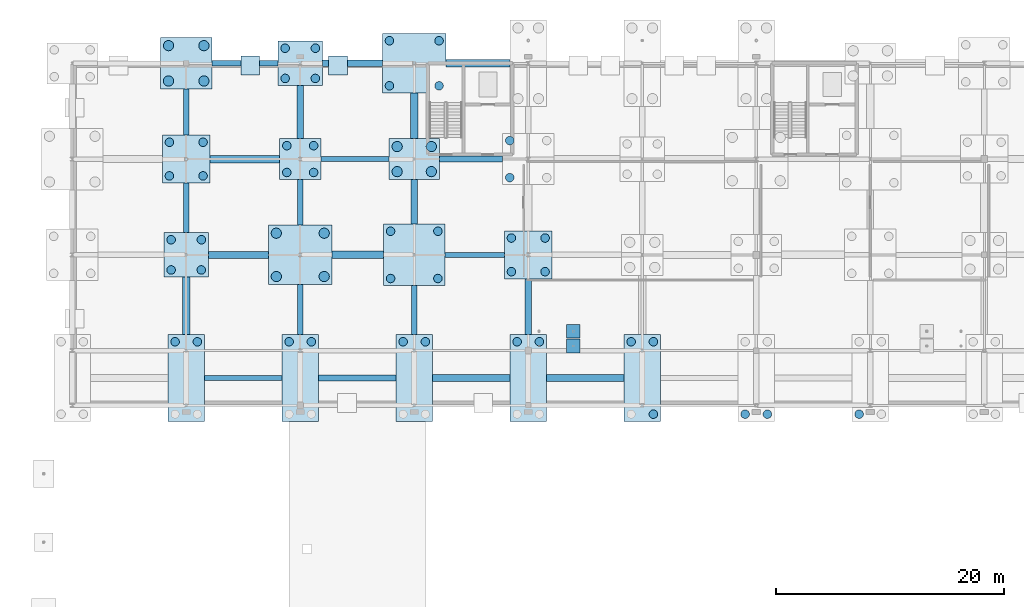
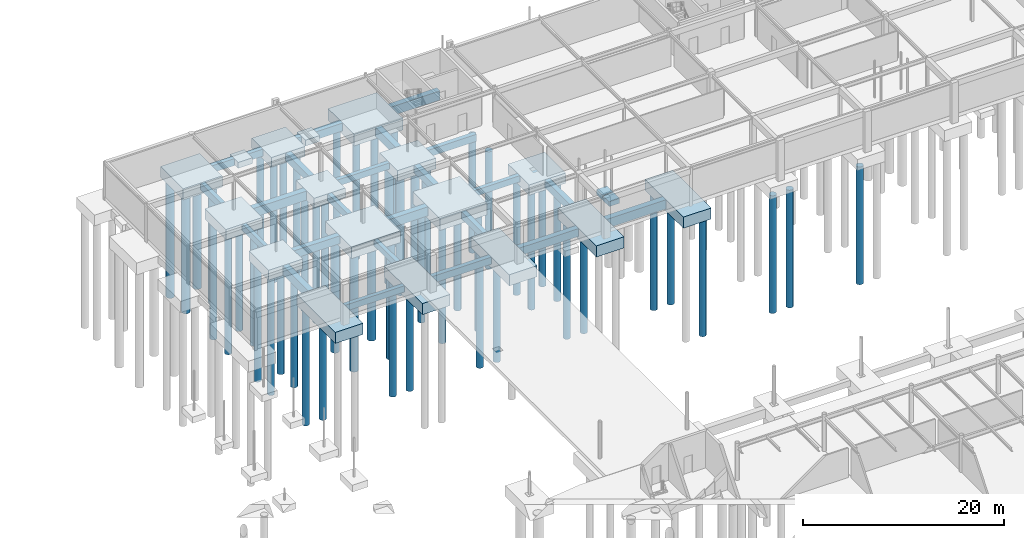
# One storey, part 6 of 75: 56 piles, 42 footings.
"""IFC4 building model written with IfcOpenShell, lengths in metres."""

from ifc_helpers import new_model, si_unit, derived_unit, direction, frame, origin, origin_2d_with_axis, place, context, subcontext, project, spatial, rectangle, circle, extrude, material, layer, layer_set, material_profile, profile_set, type_object, element, save


model = new_model("IFC4")

# Units and contexts
model_context = context("Model", 3, precision=1e-05, world=origin(), true_north=direction((0.0, 1.0)))
body_context = subcontext(model_context, "Body", "Model", "MODEL_VIEW")
ifc_project = project(units=[si_unit("LENGTHUNIT", "METRE"), si_unit("AREAUNIT", "SQUARE_METRE"), si_unit("VOLUMEUNIT", "CUBIC_METRE"), si_unit("PLANEANGLEUNIT", "RADIAN"), si_unit("MASSUNIT", "GRAM", prefix="KILO"), derived_unit("THERMALTRANSMITTANCEUNIT", [(si_unit("POWERUNIT", "WATT"), 1), (si_unit("LENGTHUNIT", "METRE"), -2), (si_unit("THERMODYNAMICTEMPERATUREUNIT", "KELVIN"), -1)])], contexts=[model_context])

# Site, building, storey
site_placement = place(None, origin())
site = spatial("IfcSite", under=ifc_project, at=site_placement, CompositionType="ELEMENT")
building_placement = place(site_placement, origin())
building = spatial("IfcBuilding", under=site, at=building_placement, Name="Cinnabar Yard Market Hall", CompositionType="ELEMENT")
storey_placement = place(building_placement, frame((0.0, 0.0, -4.5)))
storey = spatial("IfcBuildingStorey", under=building, at=storey_placement, Name="B1", CompositionType="ELEMENT", Elevation=-4.5)

# Footings
ifc_material = material(Name="Concrete 40 MPa", Category="concrete")
ifc_material_profile_1 = material_profile(ifc_material, rectangle(XDim=0.449951171875, YDim=0.75, at=origin_2d_with_axis()), Name="GB-450x750")
ifc_profile_set_1 = profile_set([ifc_material_profile_1], Name="Concrete 40 MPa")
footing_type_1 = type_object("IfcFootingType", Name="FT-GB01", PredefinedType="FOOTING_BEAM", material=ifc_profile_set_1)
footing_1_placement = place(storey_placement, frame((77.60009765625, 110.39990234375, -0.824951171875), z_axis=(1.0, 0.0, 0.0), x_axis=(0.0, 1.0, 0.0)))
element("IfcFooting", 1, at=footing_1_placement, inside=storey, type_object=footing_type_1, Name="Ground Beam X 0112", PredefinedType="FOOTING_BEAM", context=body_context, shape_type="SweptSolid", body=[
    extrude(rectangle(XDim=0.449951171875, YDim=0.75, at=origin_2d_with_axis()), origin(), (0.0, 0.0, 1.0), 6.7998046875),
])
footing_2_placement = place(storey_placement, frame((98.699951171875, 121.199951171875, -0.824951171875), z_axis=(1.0, 0.0, 0.0), x_axis=(0.0, 1.0, 0.0)))
element("IfcFooting", 2, at=footing_2_placement, inside=storey, type_object=footing_type_1, Name="Ground Beam X 0124", PredefinedType="FOOTING_BEAM", context=body_context, shape_type="SweptSolid", body=[
    extrude(rectangle(XDim=0.449951171875, YDim=0.75, at=origin_2d_with_axis()), origin(), (0.0, 0.0, 1.0), 5.199951171875),
])
footing_3_placement = place(storey_placement, frame((87.800048828125, 129.60009765625, -0.824951171875), z_axis=(1.0, 0.0, 0.0), x_axis=(0.0, 1.0, 0.0)))
element("IfcFooting", 3, at=footing_3_placement, inside=storey, type_object=footing_type_1, Name="Ground Beam X 0132", PredefinedType="FOOTING_BEAM", context=body_context, shape_type="SweptSolid", body=[
    extrude(rectangle(XDim=0.449951171875, YDim=0.75, at=origin_2d_with_axis()), origin(), (0.0, 0.0, 1.0), 6.0),
])
footing_4_placement = place(storey_placement, frame((76.0, 123.14990234375, -0.824951171875), z_axis=(0.0, 1.0, 0.0), x_axis=(-1.0, 0.0, 0.0)))
element("IfcFooting", 4, at=footing_4_placement, inside=storey, type_object=footing_type_1, Name="Ground Beam Y 0188", PredefinedType="FOOTING_BEAM", context=body_context, shape_type="SweptSolid", body=[
    extrude(rectangle(XDim=0.449951171875, YDim=0.75, at=origin_2d_with_axis()), origin(), (0.0, 0.0, 1.0), 4.35009765625),
])
footing_5_placement = place(storey_placement, frame((86.0, 114.199951171875, -0.824951171875), z_axis=(0.0, 1.0, 0.0), x_axis=(-1.0, 0.0, 0.0)))
element("IfcFooting", 5, at=footing_5_placement, inside=storey, type_object=footing_type_1, Name="Ground Beam Y 0196", PredefinedType="FOOTING_BEAM", context=body_context, shape_type="SweptSolid", body=[
    extrude(rectangle(XDim=0.449951171875, YDim=0.75, at=origin_2d_with_axis()), origin(), (0.0, 0.0, 1.0), 4.400146484375),
])
ifc_material_profile_2 = material_profile(ifc_material, rectangle(XDim=0.5, YDim=0.85009765625, at=origin_2d_with_axis()), Name="GB-500x850")
ifc_profile_set_2 = profile_set([ifc_material_profile_2], Name="Concrete 40 MPa")
footing_type_2 = type_object("IfcFootingType", Name="FT-GB02", PredefinedType="FOOTING_BEAM", material=ifc_profile_set_2)
footing_6_placement = place(storey_placement, frame((87.60009765625, 110.39990234375, -0.875), z_axis=(1.0, 0.0, 0.0), x_axis=(0.0, 1.0, 0.0)))
element("IfcFooting", 6, at=footing_6_placement, inside=storey, type_object=footing_type_2, Name="Ground Beam X 0113", PredefinedType="FOOTING_BEAM", context=body_context, shape_type="SweptSolid", body=[
    extrude(rectangle(XDim=0.5, YDim=0.85009765625, at=origin_2d_with_axis()), origin(), (0.0, 0.0, 1.0), 6.7998046875),
])
footing_7_placement = place(storey_placement, frame((98.199951171875, 129.60009765625, -0.875), z_axis=(1.0, 0.0, 0.0), x_axis=(0.0, 1.0, 0.0)))
element("IfcFooting", 7, at=footing_7_placement, inside=storey, type_object=footing_type_2, Name="Ground Beam X 0133", PredefinedType="FOOTING_BEAM", context=body_context, shape_type="SweptSolid", body=[
    extrude(rectangle(XDim=0.5, YDim=0.85009765625, at=origin_2d_with_axis()), origin(), (0.0, 0.0, 1.0), 5.550048828125),
])
footing_8_placement = place(storey_placement, frame((78.25, 138.0, -0.875), z_axis=(1.0, 0.0, 0.0), x_axis=(0.0, 1.0, 0.0)))
element("IfcFooting", 8, at=footing_8_placement, inside=storey, type_object=footing_type_2, Name="Ground Beam X 0141", PredefinedType="FOOTING_BEAM", context=body_context, shape_type="SweptSolid", body=[
    extrude(rectangle(XDim=0.5, YDim=0.85009765625, at=origin_2d_with_axis()), origin(), (0.0, 0.0, 1.0), 5.800048828125),
])
footing_9_placement = place(storey_placement, frame((76.0, 131.699951171875, -0.875), z_axis=(0.0, 1.0, 0.0), x_axis=(-1.0, 0.0, 0.0)))
element("IfcFooting", 9, at=footing_9_placement, inside=storey, type_object=footing_type_2, Name="Ground Beam Y 0189", PredefinedType="FOOTING_BEAM", context=body_context, shape_type="SweptSolid", body=[
    extrude(rectangle(XDim=0.5, YDim=0.85009765625, at=origin_2d_with_axis()), origin(), (0.0, 0.0, 1.0), 4.050048828125),
])
footing_10_placement = place(storey_placement, frame((86.0, 123.800048828125, -0.875), z_axis=(0.0, 1.0, 0.0), x_axis=(-1.0, 0.0, 0.0)))
element("IfcFooting", 10, at=footing_10_placement, inside=storey, type_object=footing_type_2, Name="Ground Beam Y 0197", PredefinedType="FOOTING_BEAM", context=body_context, shape_type="SweptSolid", body=[
    extrude(rectangle(XDim=0.5, YDim=0.85009765625, at=origin_2d_with_axis()), origin(), (0.0, 0.0, 1.0), 4.0),
])
footing_11_placement = place(storey_placement, frame((96.0, 114.199951171875, -0.875), z_axis=(0.0, 1.0, 0.0), x_axis=(-1.0, 0.0, 0.0)))
element("IfcFooting", 11, at=footing_11_placement, inside=storey, type_object=footing_type_2, Name="Ground Beam Y 0205", PredefinedType="FOOTING_BEAM", context=body_context, shape_type="SweptSolid", body=[
    extrude(rectangle(XDim=0.5, YDim=0.85009765625, at=origin_2d_with_axis()), origin(), (0.0, 0.0, 1.0), 4.300048828125),
])
ifc_material_profile_3 = material_profile(ifc_material, rectangle(XDim=0.60009765625, YDim=0.949951171875, at=origin_2d_with_axis()), Name="GB-600x950")
ifc_profile_set_3 = profile_set([ifc_material_profile_3], Name="Concrete 40 MPa")
footing_type_3 = type_object("IfcFootingType", Name="FT-GB03", PredefinedType="FOOTING_BEAM", material=ifc_profile_set_3)
footing_12_placement = place(storey_placement, frame((97.60009765625, 110.39990234375, -0.925048828125), z_axis=(1.0, 0.0, 0.0), x_axis=(0.0, 1.0, 0.0)))
element("IfcFooting", 12, at=footing_12_placement, inside=storey, type_object=footing_type_3, Name="Ground Beam X 0114", PredefinedType="FOOTING_BEAM", context=body_context, shape_type="SweptSolid", body=[
    extrude(rectangle(XDim=0.60009765625, YDim=0.949951171875, at=origin_2d_with_axis()), origin(), (0.0, 0.0, 1.0), 6.7998046875),
])
for number, where, z_axis, x_axis, name in (
    (13, (77.949951171875, 121.199951171875, -0.925048828125), (1.0, 0.0, 0.0), (0.0, 1.0, 0.0), "Ground Beam X 0122"),
    (14, (87.949951171875, 138.0, -0.925048828125), (1.0, 0.0, 0.0), (0.0, 1.0, 0.0), "Ground Beam X 0142"),
):
    element("IfcFooting", number, at=place(storey_placement, frame(where, z_axis=z_axis, x_axis=x_axis)), inside=storey, type_object=footing_type_3, Name=name, PredefinedType="FOOTING_BEAM", context=body_context, shape_type="SweptSolid", body=[
        extrude(rectangle(XDim=0.60009765625, YDim=0.949951171875, at=origin_2d_with_axis()), origin(), (0.0, 0.0, 1.0), 5.25),
    ])
footing_13_placement = place(storey_placement, frame((86.0, 131.39990234375, -0.925048828125), z_axis=(0.0, 1.0, 0.0), x_axis=(-1.0, 0.0, 0.0)))
element("IfcFooting", 15, at=footing_13_placement, inside=storey, type_object=footing_type_3, Name="Ground Beam Y 0198", PredefinedType="FOOTING_BEAM", context=body_context, shape_type="SweptSolid", body=[
    extrude(rectangle(XDim=0.60009765625, YDim=0.949951171875, at=origin_2d_with_axis()), origin(), (0.0, 0.0, 1.0), 4.650146484375),
])
footing_14_placement = place(storey_placement, frame((96.0, 123.89990234375, -0.925048828125), z_axis=(0.0, 1.0, 0.0), x_axis=(-1.0, 0.0, 0.0)))
element("IfcFooting", 16, at=footing_14_placement, inside=storey, type_object=footing_type_3, Name="Ground Beam Y 0206", PredefinedType="FOOTING_BEAM", context=body_context, shape_type="SweptSolid", body=[
    extrude(rectangle(XDim=0.60009765625, YDim=0.949951171875, at=origin_2d_with_axis()), origin(), (0.0, 0.0, 1.0), 3.900146484375),
])
footing_15_placement = place(storey_placement, frame((106.0, 114.199951171875, -0.925048828125), z_axis=(0.0, 1.0, 0.0), x_axis=(-1.0, 0.0, 0.0)))
element("IfcFooting", 17, at=footing_15_placement, inside=storey, type_object=footing_type_3, Name="Ground Beam Y 0214", PredefinedType="FOOTING_BEAM", context=body_context, shape_type="SweptSolid", body=[
    extrude(rectangle(XDim=0.60009765625, YDim=0.949951171875, at=origin_2d_with_axis()), origin(), (0.0, 0.0, 1.0), 4.900146484375),
])
ifc_material_profile_4 = material_profile(ifc_material, rectangle(XDim=0.64990234375, YDim=1.10009765625, at=origin_2d_with_axis()), Name="GB-650x1100")
ifc_profile_set_4 = profile_set([ifc_material_profile_4], Name="Concrete 40 MPa")
footing_type_4 = type_object("IfcFootingType", Name="FT-GB04", PredefinedType="FOOTING_BEAM", material=ifc_profile_set_4)
footing_16_placement = place(storey_placement, frame((107.60009765625, 110.39990234375, -1.0), z_axis=(1.0, 0.0, 0.0), x_axis=(0.0, 1.0, 0.0)))
element("IfcFooting", 18, at=footing_16_placement, inside=storey, type_object=footing_type_4, Name="Ground Beam X 0115", PredefinedType="FOOTING_BEAM", context=body_context, shape_type="SweptSolid", body=[
    extrude(rectangle(XDim=0.64990234375, YDim=1.10009765625, at=origin_2d_with_axis()), origin(), (0.0, 0.0, 1.0), 6.7998046875),
])
footing_17_placement = place(storey_placement, frame((88.800048828125, 121.199951171875, -1.0), z_axis=(1.0, 0.0, 0.0), x_axis=(0.0, 1.0, 0.0)))
element("IfcFooting", 19, at=footing_17_placement, inside=storey, type_object=footing_type_4, Name="Ground Beam X 0123", PredefinedType="FOOTING_BEAM", context=body_context, shape_type="SweptSolid", body=[
    extrude(rectangle(XDim=0.64990234375, YDim=1.10009765625, at=origin_2d_with_axis()), origin(), (0.0, 0.0, 1.0), 4.5),
])
footing_18_placement = place(storey_placement, frame((78.10009765625, 129.60009765625, -1.0), z_axis=(1.0, 0.0, 0.0), x_axis=(0.0, 1.0, 0.0)))
element("IfcFooting", 20, at=footing_18_placement, inside=storey, type_object=footing_type_4, Name="Ground Beam X 0131", PredefinedType="FOOTING_BEAM", context=body_context, shape_type="SweptSolid", body=[
    extrude(rectangle(XDim=0.64990234375, YDim=1.10009765625, at=origin_2d_with_axis()), origin(), (0.0, 0.0, 1.0), 6.099853515625),
])
footing_19_placement = place(storey_placement, frame((98.800048828125, 138.0, -1.0), z_axis=(1.0, 0.0, 0.0), x_axis=(0.0, 1.0, 0.0)))
element("IfcFooting", 21, at=footing_19_placement, inside=storey, type_object=footing_type_4, Name="Ground Beam X 0143", PredefinedType="FOOTING_BEAM", context=body_context, shape_type="SweptSolid", body=[
    extrude(rectangle(XDim=0.64990234375, YDim=1.10009765625, at=origin_2d_with_axis()), origin(), (0.0, 0.0, 1.0), 5.599853515625),
])
footing_20_placement = place(storey_placement, frame((76.0, 114.199951171875, -1.0), z_axis=(0.0, 1.0, 0.0), x_axis=(-1.0, 0.0, 0.0)))
element("IfcFooting", 22, at=footing_20_placement, inside=storey, type_object=footing_type_4, Name="Ground Beam Y 0187", PredefinedType="FOOTING_BEAM", context=body_context, shape_type="SweptSolid", body=[
    extrude(rectangle(XDim=0.64990234375, YDim=1.10009765625, at=origin_2d_with_axis()), origin(), (0.0, 0.0, 1.0), 5.050048828125),
])
footing_21_placement = place(storey_placement, frame((96.0, 131.39990234375, -1.0), z_axis=(0.0, 1.0, 0.0), x_axis=(-1.0, 0.0, 0.0)))
element("IfcFooting", 23, at=footing_21_placement, inside=storey, type_object=footing_type_4, Name="Ground Beam Y 0207", PredefinedType="FOOTING_BEAM", context=body_context, shape_type="SweptSolid", body=[
    extrude(rectangle(XDim=0.64990234375, YDim=1.10009765625, at=origin_2d_with_axis()), origin(), (0.0, 0.0, 1.0), 4.0),
])
ifc_layer_1 = layer(ifc_material, 1.14990234375)
ifc_layer_set_1 = layer_set([ifc_layer_1], Name="Concrete 40 MPa")
footing_type_5 = type_object("IfcFootingType", Name="FT-PC03", PredefinedType="PILE_CAP", material=ifc_layer_set_1)
footing_22_placement = place(storey_placement, frame((86.0, 129.60009765625, -1.599853515625), z_axis=(0.0, 0.0, 1.0), x_axis=(1.0, 0.0, 0.0)))
element("IfcFooting", 24, at=footing_22_placement, inside=storey, type_object=footing_type_5, Name="Pile Cap V3-03-04", PredefinedType="PILE_CAP", context=body_context, shape_type="SweptSolid", body=[
    extrude(rectangle(XDim=3.60009765625, YDim=3.60009765625, at=origin_2d_with_axis()), origin(), (0.0, 0.0, 1.0), 1.14990234375),
])
ifc_layer_2 = layer(ifc_material, 1.199951171875)
ifc_layer_set_2 = layer_set([ifc_layer_2], Name="Concrete 40 MPa")
footing_type_6 = type_object("IfcFootingType", Name="FT-PC04", PredefinedType="PILE_CAP", material=ifc_layer_set_2)
for number, where, z_axis, x_axis, name in (
    (25, (76.0, 121.199951171875, -1.64990234375), (0.0, 0.0, 1.0), (1.0, 0.0, 0.0), "Pile Cap V3-02-03"),
    (26, (86.0, 138.0, -1.64990234375), (0.0, 0.0, 1.0), (1.0, 0.0, 0.0), "Pile Cap V3-03-05"),
):
    element("IfcFooting", number, at=place(storey_placement, frame(where, z_axis=z_axis, x_axis=x_axis)), inside=storey, type_object=footing_type_6, Name=name, PredefinedType="PILE_CAP", context=body_context, shape_type="SweptSolid", body=[
        extrude(rectangle(XDim=3.89990234375, YDim=3.89990234375, at=origin_2d_with_axis()), origin(), (0.0, 0.0, 1.0), 1.199951171875),
    ])
ifc_layer_3 = layer(ifc_material, 1.25)
ifc_layer_set_3 = layer_set([ifc_layer_3], Name="Concrete 40 MPa")
footing_type_7 = type_object("IfcFootingType", Name="FT-PC05", PredefinedType="PILE_CAP", material=ifc_layer_set_3)
for number, where, z_axis, x_axis, name in (
    (27, (76.0, 129.60009765625, -1.699951171875), (0.0, 0.0, 1.0), (1.0, 0.0, 0.0), "Pile Cap V3-02-04"),
    (28, (106.0, 121.199951171875, -1.699951171875), (0.0, 0.0, 1.0), (1.0, 0.0, 0.0), "Pile Cap V3-05-03"),
):
    element("IfcFooting", number, at=place(storey_placement, frame(where, z_axis=z_axis, x_axis=x_axis)), inside=storey, type_object=footing_type_7, Name=name, PredefinedType="PILE_CAP", context=body_context, shape_type="SweptSolid", body=[
        extrude(rectangle(XDim=4.199951171875, YDim=4.199951171875, at=origin_2d_with_axis()), origin(), (0.0, 0.0, 1.0), 1.25),
    ])
ifc_layer_4 = layer(ifc_material, 1.35009765625)
ifc_layer_set_4 = layer_set([ifc_layer_4], Name="Concrete 40 MPa")
footing_type_8 = type_object("IfcFootingType", Name="FT-PC06", PredefinedType="PILE_CAP", material=ifc_layer_set_4)
footing_23_placement = place(storey_placement, frame((76.0, 138.0, -1.800048828125), z_axis=(0.0, 0.0, 1.0), x_axis=(1.0, 0.0, 0.0)))
element("IfcFooting", 29, at=footing_23_placement, inside=storey, type_object=footing_type_8, Name="Pile Cap V3-02-05", PredefinedType="PILE_CAP", context=body_context, shape_type="SweptSolid", body=[
    extrude(rectangle(XDim=4.5, YDim=4.5, at=origin_2d_with_axis()), origin(), (0.0, 0.0, 1.0), 1.35009765625),
])
ifc_layer_5 = layer(ifc_material, 1.449951171875)
ifc_layer_set_5 = layer_set([ifc_layer_5], Name="Concrete 40 MPa")
footing_type_9 = type_object("IfcFootingType", Name="FT-PC12", PredefinedType="PILE_CAP", material=ifc_layer_set_5)
footing_24_placement = place(storey_placement, frame((96.0, 121.199951171875, -1.89990234375), z_axis=(0.0, 0.0, 1.0), x_axis=(1.0, 0.0, 0.0)))
element("IfcFooting", 30, at=footing_24_placement, inside=storey, type_object=footing_type_9, Name="Pile Cap V3-04-03", PredefinedType="PILE_CAP", context=body_context, shape_type="SweptSolid", body=[
    extrude(rectangle(XDim=5.39990234375, YDim=5.39990234375, at=origin_2d_with_axis()), origin(), (0.0, 0.0, 1.0), 1.449951171875),
])
ifc_layer_6 = layer(ifc_material, 1.300048828125)
ifc_layer_set_6 = layer_set([ifc_layer_6], Name="Concrete 40 MPa")
footing_type_10 = type_object("IfcFootingType", Name="FT-PC15", PredefinedType="PILE_CAP", material=ifc_layer_set_6)
footing_25_placement = place(storey_placement, frame((96.0, 129.60009765625, -1.75), z_axis=(0.0, 0.0, 1.0), x_axis=(1.0, 0.0, 0.0)))
element("IfcFooting", 31, at=footing_25_placement, inside=storey, type_object=footing_type_10, Name="Pile Cap V3-04-04", PredefinedType="PILE_CAP", context=body_context, shape_type="SweptSolid", body=[
    extrude(rectangle(XDim=4.39990234375, YDim=3.60009765625, at=origin_2d_with_axis()), origin(), (0.0, 0.0, 1.0), 1.300048828125),
])
ifc_layer_7 = layer(ifc_material, 1.39990234375)
ifc_layer_set_7 = layer_set([ifc_layer_7], Name="Concrete 40 MPa")
footing_type_11 = type_object("IfcFootingType", Name="FT-PC16", PredefinedType="PILE_CAP", material=ifc_layer_set_7)
for number, where, z_axis, x_axis, name in (
    (32, (86.0, 121.199951171875, -1.849853515625), (0.0, 0.0, 1.0), (1.0, 0.0, 0.0), "Pile Cap V3-03-03"),
    (33, (96.0, 138.0, -1.849853515625), (0.0, 0.0, 1.0), (1.0, 0.0, 0.0), "Pile Cap V3-04-05"),
):
    element("IfcFooting", number, at=place(storey_placement, frame(where, z_axis=z_axis, x_axis=x_axis)), inside=storey, type_object=footing_type_11, Name=name, PredefinedType="PILE_CAP", context=body_context, shape_type="SweptSolid", body=[
        extrude(rectangle(XDim=5.60009765625, YDim=5.199951171875, at=origin_2d_with_axis()), origin(), (0.0, 0.0, 1.0), 1.39990234375),
    ])
ifc_layer_8 = layer(ifc_material, 1.35009765625)
ifc_layer_set_8 = layer_set([ifc_layer_8], Name="Concrete 40 MPa")
footing_type_12 = type_object("IfcFootingType", Name="FT-PC17", PredefinedType="PILE_CAP", material=ifc_layer_set_8)
for number, where, z_axis, x_axis, name in (
    (34, (76.0, 110.39990234375, -1.800048828125), (0.0, 0.0, 1.0), (1.0, 0.0, 0.0), "Pile Cap V3-02-01-PAIR"),
    (35, (86.0, 110.39990234375, -1.800048828125), (0.0, 0.0, 1.0), (1.0, 0.0, 0.0), "Pile Cap V3-03-01-PAIR"),
    (36, (96.0, 110.39990234375, -1.800048828125), (0.0, 0.0, 1.0), (1.0, 0.0, 0.0), "Pile Cap V3-04-01-PAIR"),
    (37, (106.0, 110.39990234375, -1.800048828125), (0.0, 0.0, 1.0), (1.0, 0.0, 0.0), "Pile Cap V3-05-01-PAIR"),
    (38, (116.0, 110.39990234375, -1.800048828125), (0.0, 0.0, 1.0), (1.0, 0.0, 0.0), "Pile Cap V3-06-01-PAIR"),
):
    element("IfcFooting", number, at=place(storey_placement, frame(where, z_axis=z_axis, x_axis=x_axis)), inside=storey, type_object=footing_type_12, Name=name, PredefinedType="PILE_CAP", context=body_context, shape_type="SweptSolid", body=[
        extrude(rectangle(XDim=3.199951171875, YDim=7.60009765625, at=origin_2d_with_axis()), origin(), (0.0, 0.0, 1.0), 1.35009765625),
    ])
ifc_layer_9 = layer(ifc_material, 0.719970703125)
ifc_layer_set_9 = layer_set([ifc_layer_9], Name="Concrete 40 MPa")
footing_type_13 = type_object("IfcFootingType", Name="FT-PF02", PredefinedType="PAD_FOOTING", material=ifc_layer_set_9)
for number, where, z_axis, x_axis, name in (
    (39, (81.610107421875, 137.800048828125, -1.169921875), (0.0, 0.0, 1.0), (1.0, 0.0, 0.0), "Wall Pad B1-RET-V3N1-4"),
    (40, (89.31494140625, 137.800048828125, -1.169921875), (0.0, 0.0, 1.0), (1.0, 0.0, 0.0), "Wall Pad B1-RET-V3N1-6"),
):
    element("IfcFooting", number, at=place(storey_placement, frame(where, z_axis=z_axis, x_axis=x_axis)), inside=storey, type_object=footing_type_13, Name=name, PredefinedType="PAD_FOOTING", context=body_context, shape_type="SweptSolid", body=[
        extrude(rectangle(XDim=1.64990234375, YDim=1.64990234375, at=origin_2d_with_axis()), origin(), (0.0, 0.0, 1.0), 0.719970703125),
    ])
ifc_layer_10 = layer(ifc_material, 0.60009765625)
ifc_layer_set_10 = layer_set([ifc_layer_10], Name="Concrete 40 MPa")
footing_type_14 = type_object("IfcFootingType", Name="FT-PF08", PredefinedType="PAD_FOOTING", material=ifc_layer_set_10)
for number, where, z_axis, x_axis, name in (
    (41, (109.949951171875, 113.199951171875, -1.050048828125), (0.0, 0.0, 1.0), (1.0, 0.0, 0.0), "Feature Stair Pad ST-F4-2"),
    (42, (109.949951171875, 114.5, -1.050048828125), (0.0, 0.0, 1.0), (1.0, 0.0, 0.0), "Feature Stair Pad ST-F4-4"),
):
    element("IfcFooting", number, at=place(storey_placement, frame(where, z_axis=z_axis, x_axis=x_axis)), inside=storey, type_object=footing_type_14, Name=name, PredefinedType="PAD_FOOTING", context=body_context, shape_type="SweptSolid", body=[
        extrude(rectangle(XDim=1.199951171875, YDim=1.199951171875, at=origin_2d_with_axis()), origin(), (0.0, 0.0, 1.0), 0.60009765625),
    ])

# Piles
ifc_material_profile_5 = material_profile(ifc_material, circle(Radius=0.375, at=origin_2d_with_axis()), Name="PILE-D750")
ifc_profile_set_5 = profile_set([ifc_material_profile_5], Name="Concrete 40 MPa")
pile_type_1 = type_object("IfcPileType", Name="PILE-PL750", PredefinedType="BORED", material=ifc_profile_set_5)
for number, where, z_axis, x_axis, name in (
    (43, (75.02490234375, 113.574951171875, -1.699951171875), (0.0, 0.0, -1.0), (1.0, 0.0, 0.0), "Bored Pile 0347"),
    (44, (76.97509765625, 113.574951171875, -1.699951171875), (0.0, 0.0, -1.0), (1.0, 0.0, 0.0), "Bored Pile 0348"),
):
    element("IfcPile", number, at=place(storey_placement, frame(where, z_axis=z_axis, x_axis=x_axis)), inside=storey, type_object=pile_type_1, Name=name, PredefinedType="BORED", context=body_context, shape_type="SweptSolid", body=[
        extrude(circle(Radius=0.375, at=origin_2d_with_axis()), origin(), (0.0, 0.0, 1.0), 14.300048828125),
    ])
for number, where, z_axis, x_axis, name in (
    (45, (74.675048828125, 119.875, -1.550048828125), (0.0, 0.0, -1.0), (1.0, 0.0, 0.0), "Bored Pile 0349"),
    (46, (77.324951171875, 119.875, -1.550048828125), (0.0, 0.0, -1.0), (1.0, 0.0, 0.0), "Bored Pile 0350"),
    (47, (74.675048828125, 122.52490234375, -1.550048828125), (0.0, 0.0, -1.0), (1.0, 0.0, 0.0), "Bored Pile 0351"),
    (48, (77.324951171875, 122.52490234375, -1.550048828125), (0.0, 0.0, -1.0), (1.0, 0.0, 0.0), "Bored Pile 0352"),
):
    element("IfcPile", number, at=place(storey_placement, frame(where, z_axis=z_axis, x_axis=x_axis)), inside=storey, type_object=pile_type_1, Name=name, PredefinedType="BORED", context=body_context, shape_type="SweptSolid", body=[
        extrude(circle(Radius=0.375, at=origin_2d_with_axis()), origin(), (0.0, 0.0, 1.0), 14.449951171875),
    ])
for number, where, z_axis, x_axis, name in (
    (49, (74.52490234375, 128.125, -1.60009765625), (0.0, 0.0, -1.0), (1.0, 0.0, 0.0), "Bored Pile 0353"),
    (50, (77.47509765625, 128.125, -1.60009765625), (0.0, 0.0, -1.0), (1.0, 0.0, 0.0), "Bored Pile 0354"),
    (51, (74.52490234375, 131.074951171875, -1.60009765625), (0.0, 0.0, -1.0), (1.0, 0.0, 0.0), "Bored Pile 0355"),
    (52, (77.47509765625, 131.074951171875, -1.60009765625), (0.0, 0.0, -1.0), (1.0, 0.0, 0.0), "Bored Pile 0356"),
):
    element("IfcPile", number, at=place(storey_placement, frame(where, z_axis=z_axis, x_axis=x_axis)), inside=storey, type_object=pile_type_1, Name=name, PredefinedType="BORED", context=body_context, shape_type="SweptSolid", body=[
        extrude(circle(Radius=0.375, at=origin_2d_with_axis()), origin(), (0.0, 0.0, 1.0), 14.39990234375),
    ])
for number, where, z_axis, x_axis, name in (
    (53, (85.02490234375, 113.574951171875, -1.699951171875), (0.0, 0.0, -1.0), (1.0, 0.0, 0.0), "Bored Pile 0363"),
    (54, (86.97509765625, 113.574951171875, -1.699951171875), (0.0, 0.0, -1.0), (1.0, 0.0, 0.0), "Bored Pile 0364"),
):
    element("IfcPile", number, at=place(storey_placement, frame(where, z_axis=z_axis, x_axis=x_axis)), inside=storey, type_object=pile_type_1, Name=name, PredefinedType="BORED", context=body_context, shape_type="SweptSolid", body=[
        extrude(circle(Radius=0.375, at=origin_2d_with_axis()), origin(), (0.0, 0.0, 1.0), 14.300048828125),
    ])
for number, where, z_axis, x_axis, name in (
    (55, (84.824951171875, 128.425048828125, -1.5), (0.0, 0.0, -1.0), (1.0, 0.0, 0.0), "Bored Pile 0369"),
    (56, (87.175048828125, 128.425048828125, -1.5), (0.0, 0.0, -1.0), (1.0, 0.0, 0.0), "Bored Pile 0370"),
    (57, (84.824951171875, 130.77490234375, -1.5), (0.0, 0.0, -1.0), (1.0, 0.0, 0.0), "Bored Pile 0371"),
    (58, (87.175048828125, 130.77490234375, -1.5), (0.0, 0.0, -1.0), (1.0, 0.0, 0.0), "Bored Pile 0372"),
):
    element("IfcPile", number, at=place(storey_placement, frame(where, z_axis=z_axis, x_axis=x_axis)), inside=storey, type_object=pile_type_1, Name=name, PredefinedType="BORED", context=body_context, shape_type="SweptSolid", body=[
        extrude(circle(Radius=0.375, at=origin_2d_with_axis()), origin(), (0.0, 0.0, 1.0), 14.5),
    ])
for number, where, z_axis, x_axis, name in (
    (59, (84.675048828125, 136.675048828125, -1.550048828125), (0.0, 0.0, -1.0), (1.0, 0.0, 0.0), "Bored Pile 0373"),
    (60, (87.324951171875, 136.675048828125, -1.550048828125), (0.0, 0.0, -1.0), (1.0, 0.0, 0.0), "Bored Pile 0374"),
    (61, (84.675048828125, 139.324951171875, -1.550048828125), (0.0, 0.0, -1.0), (1.0, 0.0, 0.0), "Bored Pile 0375"),
    (62, (87.324951171875, 139.324951171875, -1.550048828125), (0.0, 0.0, -1.0), (1.0, 0.0, 0.0), "Bored Pile 0376"),
):
    element("IfcPile", number, at=place(storey_placement, frame(where, z_axis=z_axis, x_axis=x_axis)), inside=storey, type_object=pile_type_1, Name=name, PredefinedType="BORED", context=body_context, shape_type="SweptSolid", body=[
        extrude(circle(Radius=0.375, at=origin_2d_with_axis()), origin(), (0.0, 0.0, 1.0), 14.449951171875),
    ])
for number, where, z_axis, x_axis, name in (
    (63, (95.02490234375, 113.574951171875, -1.699951171875), (0.0, 0.0, -1.0), (1.0, 0.0, 0.0), "Bored Pile 0379"),
    (64, (96.97509765625, 113.574951171875, -1.699951171875), (0.0, 0.0, -1.0), (1.0, 0.0, 0.0), "Bored Pile 0380"),
):
    element("IfcPile", number, at=place(storey_placement, frame(where, z_axis=z_axis, x_axis=x_axis)), inside=storey, type_object=pile_type_1, Name=name, PredefinedType="BORED", context=body_context, shape_type="SweptSolid", body=[
        extrude(circle(Radius=0.375, at=origin_2d_with_axis()), origin(), (0.0, 0.0, 1.0), 14.300048828125),
    ])
for number, where, z_axis, x_axis, name in (
    (65, (93.925048828125, 119.125, -1.800048828125), (0.0, 0.0, -1.0), (1.0, 0.0, 0.0), "Bored Pile 0381"),
    (66, (98.074951171875, 119.125, -1.800048828125), (0.0, 0.0, -1.0), (1.0, 0.0, 0.0), "Bored Pile 0382"),
    (67, (93.925048828125, 123.27490234375, -1.800048828125), (0.0, 0.0, -1.0), (1.0, 0.0, 0.0), "Bored Pile 0383"),
    (68, (98.074951171875, 123.27490234375, -1.800048828125), (0.0, 0.0, -1.0), (1.0, 0.0, 0.0), "Bored Pile 0384"),
):
    element("IfcPile", number, at=place(storey_placement, frame(where, z_axis=z_axis, x_axis=x_axis)), inside=storey, type_object=pile_type_1, Name=name, PredefinedType="BORED", context=body_context, shape_type="SweptSolid", body=[
        extrude(circle(Radius=0.375, at=origin_2d_with_axis()), origin(), (0.0, 0.0, 1.0), 14.199951171875),
    ])
for number, where, z_axis, x_axis, name in (
    (69, (93.824951171875, 136.02490234375, -1.75), (0.0, 0.0, -1.0), (1.0, 0.0, 0.0), "Bored Pile 0389"),
    (70, (98.175048828125, 136.02490234375, -1.75), (0.0, 0.0, -1.0), (1.0, 0.0, 0.0), "Bored Pile 0390"),
    (71, (93.824951171875, 139.97509765625, -1.75), (0.0, 0.0, -1.0), (1.0, 0.0, 0.0), "Bored Pile 0391"),
    (72, (98.175048828125, 139.97509765625, -1.75), (0.0, 0.0, -1.0), (1.0, 0.0, 0.0), "Bored Pile 0392"),
):
    element("IfcPile", number, at=place(storey_placement, frame(where, z_axis=z_axis, x_axis=x_axis)), inside=storey, type_object=pile_type_1, Name=name, PredefinedType="BORED", context=body_context, shape_type="SweptSolid", body=[
        extrude(circle(Radius=0.375, at=origin_2d_with_axis()), origin(), (0.0, 0.0, 1.0), 14.25),
    ])
for number, where, z_axis, x_axis, name in (
    (73, (105.02490234375, 113.574951171875, -1.699951171875), (0.0, 0.0, -1.0), (1.0, 0.0, 0.0), "Bored Pile 0395"),
    (74, (106.97509765625, 113.574951171875, -1.699951171875), (0.0, 0.0, -1.0), (1.0, 0.0, 0.0), "Bored Pile 0396"),
):
    element("IfcPile", number, at=place(storey_placement, frame(where, z_axis=z_axis, x_axis=x_axis)), inside=storey, type_object=pile_type_1, Name=name, PredefinedType="BORED", context=body_context, shape_type="SweptSolid", body=[
        extrude(circle(Radius=0.375, at=origin_2d_with_axis()), origin(), (0.0, 0.0, 1.0), 14.300048828125),
    ])
for number, where, z_axis, x_axis, name in (
    (75, (104.52490234375, 119.72509765625, -1.60009765625), (0.0, 0.0, -1.0), (1.0, 0.0, 0.0), "Bored Pile 0397"),
    (76, (107.47509765625, 119.72509765625, -1.60009765625), (0.0, 0.0, -1.0), (1.0, 0.0, 0.0), "Bored Pile 0398"),
    (77, (104.52490234375, 122.675048828125, -1.60009765625), (0.0, 0.0, -1.0), (1.0, 0.0, 0.0), "Bored Pile 0399"),
    (78, (107.47509765625, 122.675048828125, -1.60009765625), (0.0, 0.0, -1.0), (1.0, 0.0, 0.0), "Bored Pile 0400"),
):
    element("IfcPile", number, at=place(storey_placement, frame(where, z_axis=z_axis, x_axis=x_axis)), inside=storey, type_object=pile_type_1, Name=name, PredefinedType="BORED", context=body_context, shape_type="SweptSolid", body=[
        extrude(circle(Radius=0.375, at=origin_2d_with_axis()), origin(), (0.0, 0.0, 1.0), 14.39990234375),
    ])
for number, where, z_axis, x_axis, name in (
    (79, (104.375, 127.97509765625, -1.699951171875), (0.0, 0.0, -1.0), (1.0, 0.0, 0.0), "Bored Pile 0401"),
    (80, (104.375, 131.22509765625, -1.699951171875), (0.0, 0.0, -1.0), (1.0, 0.0, 0.0), "Bored Pile 0403"),
    (81, (116.97509765625, 107.22509765625, -1.699951171875), (0.0, 0.0, -1.0), (1.0, 0.0, 0.0), "Bored Pile 0410"),
    (82, (115.02490234375, 113.574951171875, -1.699951171875), (0.0, 0.0, -1.0), (1.0, 0.0, 0.0), "Bored Pile 0411"),
    (83, (116.97509765625, 113.574951171875, -1.699951171875), (0.0, 0.0, -1.0), (1.0, 0.0, 0.0), "Bored Pile 0412"),
    (84, (125.02490234375, 107.22509765625, -1.699951171875), (0.0, 0.0, -1.0), (1.0, 0.0, 0.0), "Bored Pile 0425"),
    (85, (126.97509765625, 107.22509765625, -1.699951171875), (0.0, 0.0, -1.0), (1.0, 0.0, 0.0), "Bored Pile 0426"),
    (86, (135.02490234375, 107.22509765625, -1.699951171875), (0.0, 0.0, -1.0), (1.0, 0.0, 0.0), "Bored Pile 0441"),
):
    element("IfcPile", number, at=place(storey_placement, frame(where, z_axis=z_axis, x_axis=x_axis)), inside=storey, type_object=pile_type_1, Name=name, PredefinedType="BORED", context=body_context, shape_type="SweptSolid", body=[
        extrude(circle(Radius=0.375, at=origin_2d_with_axis()), origin(), (0.0, 0.0, 1.0), 14.300048828125),
    ])
ifc_material_profile_6 = material_profile(ifc_material, circle(Radius=0.449951171875, at=origin_2d_with_axis()), Name="PILE-D900")
ifc_profile_set_6 = profile_set([ifc_material_profile_6], Name="Concrete 40 MPa")
pile_type_2 = type_object("IfcPileType", Name="PILE-PL900", PredefinedType="BORED", material=ifc_profile_set_6)
for number, where, z_axis, x_axis, name in (
    (87, (74.449951171875, 136.449951171875, -1.699951171875), (0.0, 0.0, -1.0), (1.0, 0.0, 0.0), "Bored Pile 0357"),
    (88, (77.550048828125, 136.449951171875, -1.699951171875), (0.0, 0.0, -1.0), (1.0, 0.0, 0.0), "Bored Pile 0358"),
    (89, (74.449951171875, 139.550048828125, -1.699951171875), (0.0, 0.0, -1.0), (1.0, 0.0, 0.0), "Bored Pile 0359"),
    (90, (77.550048828125, 139.550048828125, -1.699951171875), (0.0, 0.0, -1.0), (1.0, 0.0, 0.0), "Bored Pile 0360"),
):
    element("IfcPile", number, at=place(storey_placement, frame(where, z_axis=z_axis, x_axis=x_axis)), inside=storey, type_object=pile_type_2, Name=name, PredefinedType="BORED", context=body_context, shape_type="SweptSolid", body=[
        extrude(circle(Radius=0.449951171875, at=origin_2d_with_axis()), origin(), (0.0, 0.0, 1.0), 14.300048828125),
    ])
for number, where, z_axis, x_axis, name in (
    (91, (83.89990234375, 119.300048828125, -1.75), (0.0, 0.0, -1.0), (1.0, 0.0, 0.0), "Bored Pile 0365"),
    (92, (88.10009765625, 119.300048828125, -1.75), (0.0, 0.0, -1.0), (1.0, 0.0, 0.0), "Bored Pile 0366"),
    (93, (83.89990234375, 123.10009765625, -1.75), (0.0, 0.0, -1.0), (1.0, 0.0, 0.0), "Bored Pile 0367"),
    (94, (88.10009765625, 123.10009765625, -1.75), (0.0, 0.0, -1.0), (1.0, 0.0, 0.0), "Bored Pile 0368"),
):
    element("IfcPile", number, at=place(storey_placement, frame(where, z_axis=z_axis, x_axis=x_axis)), inside=storey, type_object=pile_type_2, Name=name, PredefinedType="BORED", context=body_context, shape_type="SweptSolid", body=[
        extrude(circle(Radius=0.449951171875, at=origin_2d_with_axis()), origin(), (0.0, 0.0, 1.0), 14.25),
    ])
for number, where, z_axis, x_axis, name in (
    (95, (94.5, 128.5, -1.64990234375), (0.0, 0.0, -1.0), (1.0, 0.0, 0.0), "Bored Pile 0385"),
    (96, (97.5, 128.5, -1.64990234375), (0.0, 0.0, -1.0), (1.0, 0.0, 0.0), "Bored Pile 0386"),
    (97, (94.5, 130.699951171875, -1.64990234375), (0.0, 0.0, -1.0), (1.0, 0.0, 0.0), "Bored Pile 0387"),
    (98, (97.5, 130.699951171875, -1.64990234375), (0.0, 0.0, -1.0), (1.0, 0.0, 0.0), "Bored Pile 0388"),
):
    element("IfcPile", number, at=place(storey_placement, frame(where, z_axis=z_axis, x_axis=x_axis)), inside=storey, type_object=pile_type_2, Name=name, PredefinedType="BORED", context=body_context, shape_type="SweptSolid", body=[
        extrude(circle(Radius=0.449951171875, at=origin_2d_with_axis()), origin(), (0.0, 0.0, 1.0), 14.35009765625),
    ])

save(model, "model.ifc")
